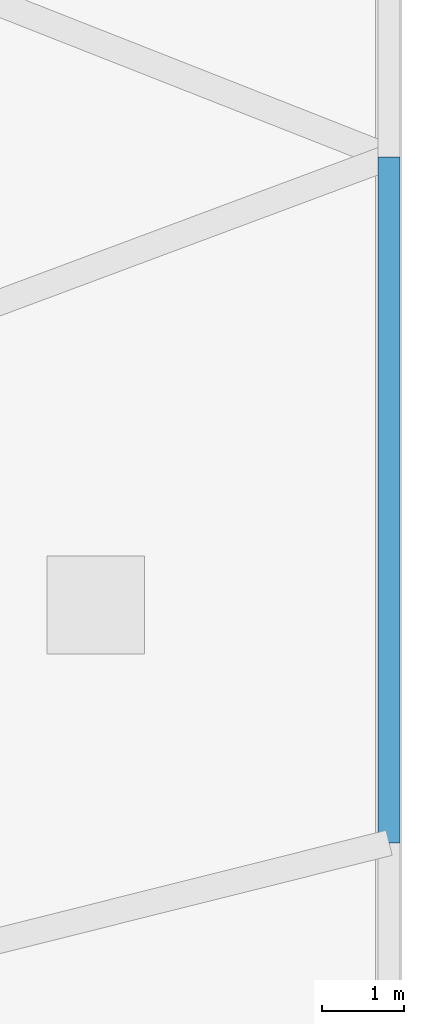
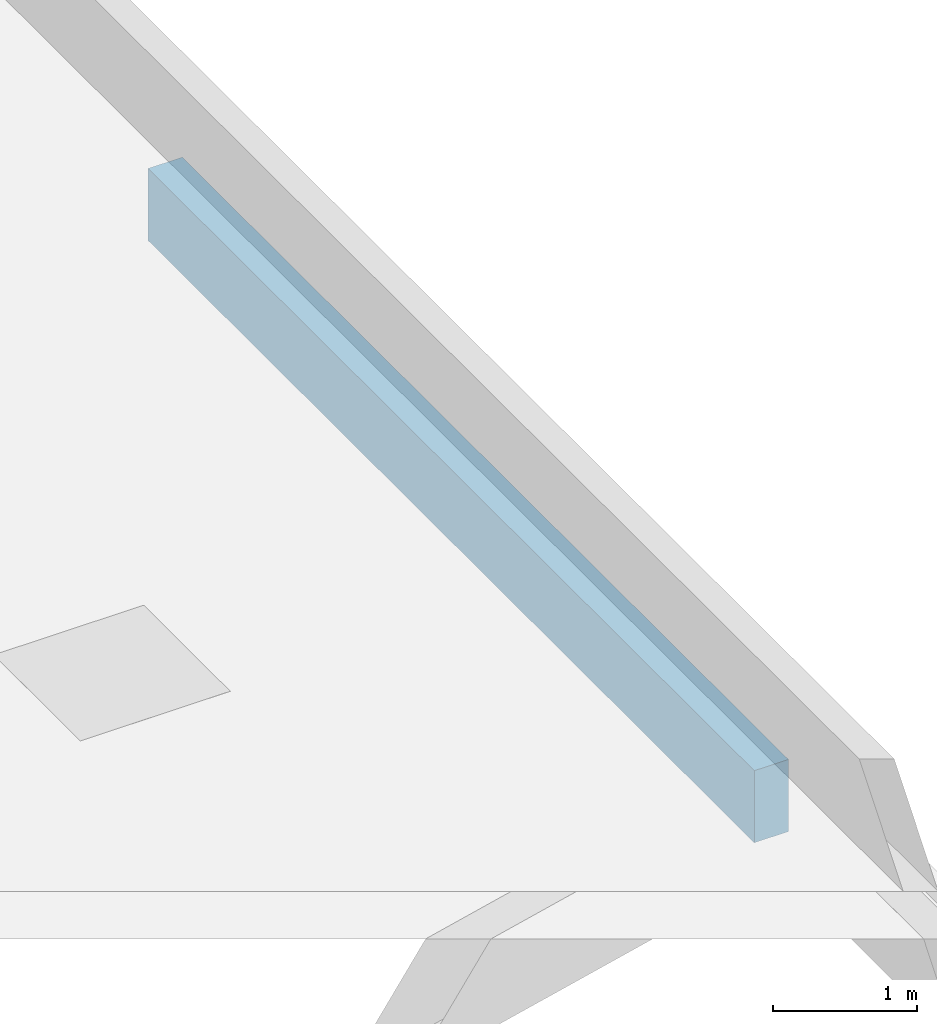
# One storey, part 19 of 37: 1 beam.
"""IFC4 building model written with IfcOpenShell, lengths in metres."""

import ifcopenshell
import ifcopenshell.guid

model = None  # the IFC model being written
_history = None  # IfcOwnerHistory: only IFC2X3 demands one
_inside = {}  # id of a spatial element -> (the spatial element, [elements in it])
_under = {}  # id of a project, library or spatial element -> (it, [spatial elements below it])
_declared = {}  # id of a project -> (the project, [libraries it declares])
_typed = {}  # id of a type object -> (the type object, [elements of that type])
_made_of = {}  # id of a material, layer set ... -> (it, [elements and type objects made of it])


def new_model(schema):
    """Start an empty IFC model of exactly this schema.

    Asked for "IFC4X3", IfcOpenShell would pick the latest addendum, in which some entities
    have other attributes; the version numbers below select the first issue.
    IFC2X3 requires an IfcOwnerHistory on every rooted entity: one is made here for all.
    """
    global model, _history
    if schema == "IFC4X3":
        model = ifcopenshell.file(schema_version=(4, 3, 0, 0))
    else:
        model = ifcopenshell.file(schema=schema)
    _inside.clear()
    _under.clear()
    _declared.clear()
    _typed.clear()
    _made_of.clear()
    _history = None
    if model.schema == "IFC2X3":
        org = make("IfcOrganization", Name="unknown")
        user = make(
            "IfcPersonAndOrganization",
            ThePerson=make("IfcPerson", FamilyName="unknown"),
            TheOrganization=org,
        )
        app = make(
            "IfcApplication",
            ApplicationDeveloper=org,
            Version="unknown",
            ApplicationFullName="unknown",
            ApplicationIdentifier="unknown",
        )
        _history = make(
            "IfcOwnerHistory",
            OwningUser=user,
            OwningApplication=app,
            ChangeAction="ADDED",
            CreationDate=0,
        )
    return model


def make(cls, **values):
    """One entity of the class cls with the attributes given. An attribute that is None is left unset."""
    return model.create_entity(
        cls, **{name: value for name, value in values.items() if value is not None}
    )


def rooted(cls, **values):
    """An entity with a GlobalId (a new one), such as an element, a storey or a relation."""
    return make(cls, GlobalId=ifcopenshell.guid.new(), OwnerHistory=_history, **values)


def si_unit(unit_type, name, prefix=None):
    """IfcSIUnit, for example si_unit("LENGTHUNIT", "METRE", prefix="MILLI")."""
    return make("IfcSIUnit", UnitType=unit_type, Prefix=prefix, Name=name)


def assignment(units):
    """IfcUnitAssignment: the units of a project."""
    return None if units is None else make("IfcUnitAssignment", Units=units)


def point(xyz):
    """IfcCartesianPoint."""
    return None if xyz is None else make("IfcCartesianPoint", Coordinates=xyz)


def direction(xyz):
    """IfcDirection."""
    return None if xyz is None else make("IfcDirection", DirectionRatios=xyz)


def frame(location, z_axis=None, x_axis=None):
    """IfcAxis2Placement3D, a coordinate frame: its origin and axes. An axis left out is left unset."""
    return make(
        "IfcAxis2Placement3D",
        Location=point(location),
        Axis=direction(z_axis),
        RefDirection=direction(x_axis),
    )


def frame_2d(location, x_axis=None):
    """IfcAxis2Placement2D, a coordinate frame in the plane: its origin and x axis."""
    return make(
        "IfcAxis2Placement2D", Location=point(location), RefDirection=direction(x_axis)
    )


def origin():
    """The frame at (0, 0, 0) with its axes left unset."""
    return frame((0.0, 0.0, 0.0))


def origin_2d():
    """The frame at (0, 0) in the plane with its x axis left unset."""
    return frame_2d((0.0, 0.0))


def place(relative_to, where):
    """IfcLocalPlacement: puts the frame where relative to a parent placement (None: the world)."""
    return make(
        "IfcLocalPlacement", PlacementRelTo=relative_to, RelativePlacement=where
    )


def context(
    kind, dimensions, precision=None, world=None, true_north=None, identifier=None
):
    """IfcGeometricRepresentationContext, for example the 3D "Model" context."""
    return make(
        "IfcGeometricRepresentationContext",
        ContextIdentifier=identifier,
        ContextType=kind,
        CoordinateSpaceDimension=dimensions,
        Precision=precision,
        WorldCoordinateSystem=world,
        TrueNorth=true_north,
    )


def subcontext(parent, identifier, kind, view, scale=None):
    """IfcGeometricRepresentationSubContext, for example "Body" below "Model"."""
    return make(
        "IfcGeometricRepresentationSubContext",
        ContextIdentifier=identifier,
        ContextType=kind,
        ParentContext=parent,
        TargetScale=scale,
        TargetView=view,
    )


def project(units=None, contexts=None):
    """IfcProject with its units and contexts."""
    return rooted(
        "IfcProject",
        Name="project",
        RepresentationContexts=contexts,
        UnitsInContext=assignment(units),
    )


def spatial(cls, under=None, at=None, **own):
    """A site, building, storey or space (cls), placed at a placement, below another one or the project."""
    s = rooted(cls, ObjectPlacement=at, **own)
    if under is not None:
        _under.setdefault(under.id(), (under, []))[1].append(s)
    return s


def profile(cls, at=None, kind="AREA", **sizes):
    """A parametric profile (cls). Its sizes go by their IFC names, for example OverallWidth=200.0."""
    return make(cls, ProfileType=kind, Position=at, **sizes)


def rectangle(**sizes):
    """IfcRectangleProfileDef."""
    return profile("IfcRectangleProfileDef", **sizes)


def extrude(swept, where, along, depth):
    """IfcExtrudedAreaSolid: the profile swept, set in the frame where, extruded along a direction by depth."""
    return make(
        "IfcExtrudedAreaSolid",
        SweptArea=swept,
        Position=where,
        ExtrudedDirection=direction(along),
        Depth=depth,
    )


def shape(context_of_items, identifier, shape_type, items):
    """IfcShapeRepresentation: the items that make up one representation, for example the "Body"."""
    return make(
        "IfcShapeRepresentation",
        ContextOfItems=context_of_items,
        RepresentationIdentifier=identifier,
        RepresentationType=shape_type,
        Items=items,
    )


def material(Name=None, Category=None):
    """IfcMaterial."""
    return make("IfcMaterial", Name=Name, Category=Category)


def material_profile(
    of_material, cross_section, Name=None, Category=None, Priority=None
):
    """IfcMaterialProfile: a cross section and its material."""
    return make(
        "IfcMaterialProfile",
        Name=Name,
        Material=of_material,
        Profile=cross_section,
        Priority=Priority,
        Category=Category,
    )


def profile_set(profiles, Name=None, composite=None):
    """IfcMaterialProfileSet."""
    return make(
        "IfcMaterialProfileSet",
        Name=Name,
        MaterialProfiles=profiles,
        CompositeProfile=composite,
    )


def made_of(thing, what):
    """Note that an element or type object is made of a material, layer set ...; save() writes the relation."""
    if what is not None:
        _made_of.setdefault(what.id(), (what, []))[1].append(thing)
    return thing


def type_object(cls, material=None, **own):
    """A type object (cls), such as IfcWallType, which elements share."""
    return made_of(rooted(cls, **own), material)


def element(
    cls,
    number,
    at=None,
    inside=None,
    cuts=None,
    type_object=None,
    material=None,
    context=None,
    identifier="Body",
    shape_type=None,
    held_by="IfcProductDefinitionShape",
    body=None,
    shapes=None,
    **own,
):
    """One element of the class cls, such as IfcWall. Its Tag is "e" and its number.

    at: its placement. inside: the storey or other place that contains it. cuts: it is an
    opening in that element (IfcRelVoidsElement). A single representation is given by context,
    identifier, shape_type and body (its items); several are given by shapes. held_by: the class
    of the entity that holds the representations. save() writes the other relations.
    """
    e = rooted(cls, Tag="e%d" % number, ObjectPlacement=at, **own)
    if body is not None:
        shapes = [shape(context, identifier, shape_type, body)]
    if shapes is not None:
        e.Representation = make(held_by, Representations=shapes)
    if inside is not None:
        _inside.setdefault(inside.id(), (inside, []))[1].append(e)
    if cuts is not None:
        rooted(
            "IfcRelVoidsElement", RelatingBuildingElement=cuts, RelatedOpeningElement=e
        )
    if type_object is not None:
        _typed.setdefault(type_object.id(), (type_object, []))[1].append(e)
    return made_of(e, material)


def aggregate(whole, parts):
    """IfcRelAggregates: a whole, such as a stair, and the parts it consists of."""
    return rooted("IfcRelAggregates", RelatingObject=whole, RelatedObjects=parts)


def save(model, path):
    """Write the relations noted so far, then the file.

    IfcRelAggregates (storeys below a building ...), IfcRelContainedInSpatialStructure (elements
    in a storey), IfcRelDefinesByType, IfcRelAssociatesMaterial and IfcRelDeclares: one each for
    every whole, place, type object, material and project.
    """
    for whole, parts in _under.values():
        aggregate(whole, parts)
    for where, things in _inside.values():
        rooted(
            "IfcRelContainedInSpatialStructure",
            RelatedElements=things,
            RelatingStructure=where,
        )
    for kind, things in _typed.values():
        rooted("IfcRelDefinesByType", RelatedObjects=things, RelatingType=kind)
    for what, things in _made_of.values():
        rooted("IfcRelAssociatesMaterial", RelatedObjects=things, RelatingMaterial=what)
    for by, libraries in _declared.values():
        rooted("IfcRelDeclares", RelatingContext=by, RelatedDefinitions=libraries)
    model.write(path)


model = new_model("IFC4")

# Units and contexts
model_context = context("Model", 3, precision=1e-05, world=origin(), true_north=direction((0.0, 1.0)))
body_context = subcontext(model_context, "Body", "Model", "MODEL_VIEW")
ifc_project = project(units=[si_unit("LENGTHUNIT", "METRE"), si_unit("AREAUNIT", "SQUARE_METRE"), si_unit("VOLUMEUNIT", "CUBIC_METRE"), si_unit("PLANEANGLEUNIT", "RADIAN"), si_unit("MASSUNIT", "GRAM", prefix="KILO")], contexts=[model_context])

# Site, building, storey
site_placement = place(None, origin())
site = spatial("IfcSite", under=ifc_project, at=site_placement, CompositionType="ELEMENT")
building_placement = place(site_placement, origin())
building = spatial("IfcBuilding", under=site, at=building_placement, Name="Meriwether Solvik Hall", CompositionType="ELEMENT")
storey_placement = place(building_placement, frame((0.0, 0.0, 26.10009765625)))
storey = spatial("IfcBuildingStorey", under=building, at=storey_placement, Name="L06", CompositionType="ELEMENT", Elevation=26.10009765625)

# Beam
ifc_material = material(Name="Glulam Douglas-Fir 24F-V8 GL28h", Category="wood")
ifc_material_profile = material_profile(ifc_material, rectangle(XDim=0.27294921875, YDim=0.610107421875, at=origin_2d()), Name="GLB-273X610")
ifc_profile_set = profile_set([ifc_material_profile], Name="Glulam Douglas-Fir 24F-V8 GL28h")
beam_type = type_object("IfcBeamType", Name="BM-GL-273X610", PredefinedType="SPANDREL", material=ifc_profile_set)
beam_placement = place(storey_placement, frame((114.199951171875, 66.800048828125, -0.5751953125), z_axis=(0.0, 1.0, 0.0), x_axis=(-1.0, 0.0, 0.0)))
element("IfcBeam", 1, at=beam_placement, inside=storey, type_object=beam_type, Name="Podium Girder 13:H-I (L06)", PredefinedType="SPANDREL", context=body_context, shape_type="SweptSolid", body=[
    extrude(rectangle(XDim=0.27294921875, YDim=0.610107421875, at=origin_2d()), origin(), (0.0, 0.0, 1.0), 8.39990234375),
])

save(model, "model.ifc")
